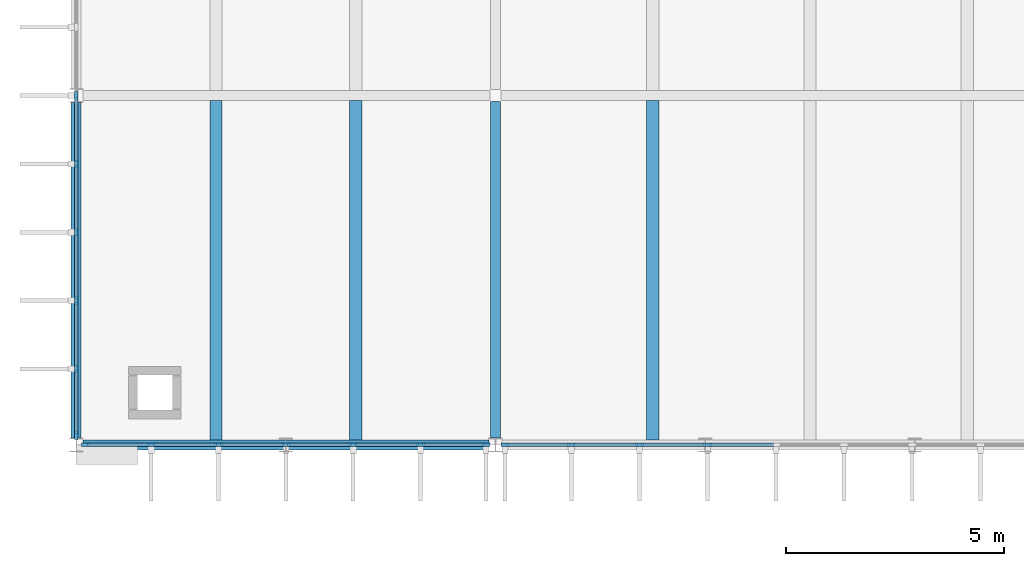
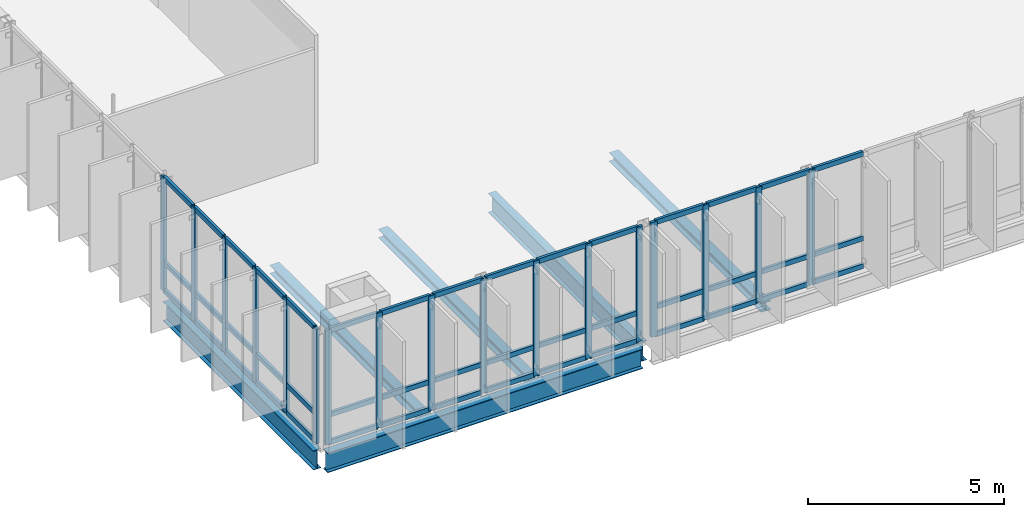
# One storey, part 6 of 22: 62 members, 6 beams, 3 elements without a shape of their own.
"""IFC4 building model written with IfcOpenShell, lengths in metres."""

from ifc_helpers import new_model, si_unit, direction, frame, origin, origin_2d, place, context, subcontext, project, spatial, rectangle, i_section, extrude, material, material_profile, profile_set, type_object, element, aggregate, save


model = new_model("IFC4")

# Units and contexts
model_context = context("Model", 3, precision=1e-05, world=origin(), true_north=direction((0.0, 1.0)))
body_context = subcontext(model_context, "Body", "Model", "MODEL_VIEW")
ifc_project = project(units=[si_unit("LENGTHUNIT", "METRE"), si_unit("AREAUNIT", "SQUARE_METRE"), si_unit("VOLUMEUNIT", "CUBIC_METRE"), si_unit("PLANEANGLEUNIT", "RADIAN"), si_unit("MASSUNIT", "GRAM", prefix="KILO")], contexts=[model_context])

# Site, building, storey
site_placement = place(None, origin())
site = spatial("IfcSite", under=ifc_project, at=site_placement, CompositionType="ELEMENT")
building_placement = place(site_placement, origin())
building = spatial("IfcBuilding", under=site, at=building_placement, Name="Dunescarp Central Library", CompositionType="ELEMENT")
storey_placement = place(building_placement, frame((0.0, 0.0, 27.60009765625)))
storey = spatial("IfcBuildingStorey", under=building, at=storey_placement, Name="L06", CompositionType="ELEMENT", Elevation=27.60009765625)

# Curtain wall, members
ifc_material_1 = material(Name="Marine-grade anodised aluminium 6063-T6", Category="aluminium")
curtain_wall_type = type_object("IfcCurtainWallType", Name="ARC-CW-STICK", PredefinedType="NOTDEFINED", material=ifc_material_1)
curtain_wall_1_placement = place(storey_placement, origin())
curtain_wall_1 = element("IfcCurtainWall", 1, at=curtain_wall_1_placement, inside=storey, type_object=curtain_wall_type, Name="L06 curtain wall CW-V1-038", PredefinedType="NOTDEFINED")
ifc_material_profile_1 = material_profile(ifc_material_1, rectangle(XDim=0.080078125, YDim=0.179931640625, at=origin_2d()), Name="AL 80x180")
ifc_profile_set_1 = profile_set([ifc_material_profile_1], Name="Marine-grade anodised aluminium 6063-T6")
member_type_1 = type_object("IfcMemberType", Name="ARC-CWM-180", PredefinedType="MULLION", material=ifc_profile_set_1)
member_1_placement = place(storey_placement, frame((9.385009765625, 4.800048828125, 0.0), z_axis=(0.0, 0.0, 1.0), x_axis=(0.0, -1.0, 0.0)))
member_1 = element("IfcMember", 2, at=member_1_placement, type_object=member_type_1, Name="CW-V1-038 mullion 1", PredefinedType="MULLION", context=body_context, shape_type="SweptSolid", body=[
    extrude(rectangle(XDim=0.080078125, YDim=0.179931640625, at=origin_2d()), origin(), (0.0, 0.0, 1.0), 3.574951171875),
])
member_2_placement = place(storey_placement, frame((7.88330078125, 4.800048828125, 0.0), z_axis=(0.0, 0.0, 1.0), x_axis=(0.0, -1.0, 0.0)))
member_2 = element("IfcMember", 3, at=member_2_placement, type_object=member_type_1, Name="CW-V1-038 mullion 2", PredefinedType="MULLION", context=body_context, shape_type="SweptSolid", body=[
    extrude(rectangle(XDim=0.080078125, YDim=0.179931640625, at=origin_2d()), origin(), (0.0, 0.0, 1.0), 3.574951171875),
])
member_3_placement = place(storey_placement, frame((6.341552734375, 4.800048828125, 0.0), z_axis=(0.0, 0.0, 1.0), x_axis=(0.0, -1.0, 0.0)))
member_3 = element("IfcMember", 4, at=member_3_placement, type_object=member_type_1, Name="CW-V1-038 mullion 3", PredefinedType="MULLION", context=body_context, shape_type="SweptSolid", body=[
    extrude(rectangle(XDim=0.080078125, YDim=0.179931640625, at=origin_2d()), origin(), (0.0, 0.0, 1.0), 3.574951171875),
])
member_4_placement = place(storey_placement, frame((4.800048828125, 4.800048828125, 0.0), z_axis=(0.0, 0.0, 1.0), x_axis=(0.0, -1.0, 0.0)))
member_4 = element("IfcMember", 5, at=member_4_placement, type_object=member_type_1, Name="CW-V1-038 mullion 4", PredefinedType="MULLION", context=body_context, shape_type="SweptSolid", body=[
    extrude(rectangle(XDim=0.080078125, YDim=0.179931640625, at=origin_2d()), origin(), (0.0, 0.0, 1.0), 3.574951171875),
])
member_5_placement = place(storey_placement, frame((3.25830078125, 4.800048828125, 0.0), z_axis=(0.0, 0.0, 1.0), x_axis=(0.0, -1.0, 0.0)))
member_5 = element("IfcMember", 6, at=member_5_placement, type_object=member_type_1, Name="CW-V1-038 mullion 5", PredefinedType="MULLION", context=body_context, shape_type="SweptSolid", body=[
    extrude(rectangle(XDim=0.080078125, YDim=0.179931640625, at=origin_2d()), origin(), (0.0, 0.0, 1.0), 3.574951171875),
])
member_6_placement = place(storey_placement, frame((1.716552734375, 4.800048828125, 0.0), z_axis=(0.0, 0.0, 1.0), x_axis=(0.0, -1.0, 0.0)))
member_6 = element("IfcMember", 7, at=member_6_placement, type_object=member_type_1, Name="CW-V1-038 mullion 6", PredefinedType="MULLION", context=body_context, shape_type="SweptSolid", body=[
    extrude(rectangle(XDim=0.080078125, YDim=0.179931640625, at=origin_2d()), origin(), (0.0, 0.0, 1.0), 3.574951171875),
])
member_7_placement = place(storey_placement, frame((0.215087890625, 4.800048828125, 0.0), z_axis=(0.0, 0.0, 1.0), x_axis=(0.0, -1.0, 0.0)))
member_7 = element("IfcMember", 8, at=member_7_placement, type_object=member_type_1, Name="CW-V1-038 mullion 7", PredefinedType="MULLION", context=body_context, shape_type="SweptSolid", body=[
    extrude(rectangle(XDim=0.080078125, YDim=0.179931640625, at=origin_2d()), origin(), (0.0, 0.0, 1.0), 3.574951171875),
])

curtain_wall_2_placement = place(storey_placement, origin())
curtain_wall_2 = element("IfcCurtainWall", 9, at=curtain_wall_2_placement, inside=storey, type_object=curtain_wall_type, Name="L06 curtain wall CW-V1-039", PredefinedType="NOTDEFINED")
member_8_placement = place(storey_placement, frame((14.458251953125, 4.800048828125, 0.0), z_axis=(0.0, 0.0, 1.0), x_axis=(0.0, -1.0, 0.0)))
member_8 = element("IfcMember", 10, at=member_8_placement, type_object=member_type_1, Name="CW-V1-039 mullion 7", PredefinedType="MULLION", context=body_context, shape_type="SweptSolid", body=[
    extrude(rectangle(XDim=0.080078125, YDim=0.179931640625, at=origin_2d()), origin(), (0.0, 0.0, 1.0), 3.574951171875),
])
member_9_placement = place(storey_placement, frame((12.897216796875, 4.800048828125, 0.0), z_axis=(0.0, 0.0, 1.0), x_axis=(0.0, -1.0, 0.0)))
member_9 = element("IfcMember", 11, at=member_9_placement, type_object=member_type_1, Name="CW-V1-039 mullion 8", PredefinedType="MULLION", context=body_context, shape_type="SweptSolid", body=[
    extrude(rectangle(XDim=0.080078125, YDim=0.179931640625, at=origin_2d()), origin(), (0.0, 0.0, 1.0), 3.574951171875),
])
member_10_placement = place(storey_placement, frame((11.336181640625, 4.800048828125, 0.0), z_axis=(0.0, 0.0, 1.0), x_axis=(0.0, -1.0, 0.0)))
member_10 = element("IfcMember", 12, at=member_10_placement, type_object=member_type_1, Name="CW-V1-039 mullion 9", PredefinedType="MULLION", context=body_context, shape_type="SweptSolid", body=[
    extrude(rectangle(XDim=0.080078125, YDim=0.179931640625, at=origin_2d()), origin(), (0.0, 0.0, 1.0), 3.574951171875),
])
member_11_placement = place(storey_placement, frame((9.81494140625, 4.800048828125, 0.0), z_axis=(0.0, 0.0, 1.0), x_axis=(0.0, -1.0, 0.0)))
member_11 = element("IfcMember", 13, at=member_11_placement, type_object=member_type_1, Name="CW-V1-039 mullion 10", PredefinedType="MULLION", context=body_context, shape_type="SweptSolid", body=[
    extrude(rectangle(XDim=0.080078125, YDim=0.179931640625, at=origin_2d()), origin(), (0.0, 0.0, 1.0), 3.574951171875),
])

curtain_wall_3_placement = place(storey_placement, origin())
curtain_wall_3 = element("IfcCurtainWall", 14, at=curtain_wall_3_placement, inside=storey, type_object=curtain_wall_type, Name="L06 curtain wall CW-V1-042", PredefinedType="NOTDEFINED")
member_12_placement = place(storey_placement, frame((0.0, 5.014892578125, 0.0), z_axis=(0.0, 0.0, 1.0), x_axis=(-1.0, 0.0, 0.0)))
member_12 = element("IfcMember", 15, at=member_12_placement, type_object=member_type_1, Name="CW-V1-042 mullion 1", PredefinedType="MULLION", context=body_context, shape_type="SweptSolid", body=[
    extrude(rectangle(XDim=0.080078125, YDim=0.179931640625, at=origin_2d()), origin(), (0.0, 0.0, 1.0), 3.574951171875),
])
member_13_placement = place(storey_placement, frame((0.0, 6.5400390625, 0.0), z_axis=(0.0, 0.0, 1.0), x_axis=(-1.0, 0.0, 0.0)))
member_13 = element("IfcMember", 16, at=member_13_placement, type_object=member_type_1, Name="CW-V1-042 mullion 2", PredefinedType="MULLION", context=body_context, shape_type="SweptSolid", body=[
    extrude(rectangle(XDim=0.080078125, YDim=0.179931640625, at=origin_2d()), origin(), (0.0, 0.0, 1.0), 3.574951171875),
])
member_14_placement = place(storey_placement, frame((0.0, 8.10498046875, 0.0), z_axis=(0.0, 0.0, 1.0), x_axis=(-1.0, 0.0, 0.0)))
member_14 = element("IfcMember", 17, at=member_14_placement, type_object=member_type_1, Name="CW-V1-042 mullion 3", PredefinedType="MULLION", context=body_context, shape_type="SweptSolid", body=[
    extrude(rectangle(XDim=0.080078125, YDim=0.179931640625, at=origin_2d()), origin(), (0.0, 0.0, 1.0), 3.574951171875),
])
member_15_placement = place(storey_placement, frame((0.0, 9.669921875, 0.0), z_axis=(0.0, 0.0, 1.0), x_axis=(-1.0, 0.0, 0.0)))
member_15 = element("IfcMember", 18, at=member_15_placement, type_object=member_type_1, Name="CW-V1-042 mullion 4", PredefinedType="MULLION", context=body_context, shape_type="SweptSolid", body=[
    extrude(rectangle(XDim=0.080078125, YDim=0.179931640625, at=origin_2d()), origin(), (0.0, 0.0, 1.0), 3.574951171875),
])
member_16_placement = place(storey_placement, frame((0.0, 11.235107421875, 0.0), z_axis=(0.0, 0.0, 1.0), x_axis=(-1.0, 0.0, 0.0)))
member_16 = element("IfcMember", 19, at=member_16_placement, type_object=member_type_1, Name="CW-V1-042 mullion 5", PredefinedType="MULLION", context=body_context, shape_type="SweptSolid", body=[
    extrude(rectangle(XDim=0.080078125, YDim=0.179931640625, at=origin_2d()), origin(), (0.0, 0.0, 1.0), 3.574951171875),
])
member_17_placement = place(storey_placement, frame((0.0, 12.800048828125, 0.0), z_axis=(0.0, 0.0, 1.0), x_axis=(-1.0, 0.0, 0.0)))
member_17 = element("IfcMember", 20, at=member_17_placement, type_object=member_type_1, Name="CW-V1-042 mullion 6", PredefinedType="MULLION", context=body_context, shape_type="SweptSolid", body=[
    extrude(rectangle(XDim=0.080078125, YDim=0.179931640625, at=origin_2d()), origin(), (0.0, 0.0, 1.0), 3.574951171875),
])

# Member
ifc_material_profile_2 = material_profile(ifc_material_1, rectangle(XDim=0.080078125, YDim=0.14990234375, at=origin_2d()), Name="AL 80x150")
ifc_profile_set_2 = profile_set([ifc_material_profile_2], Name="Marine-grade anodised aluminium 6063-T6")
member_type_2 = type_object("IfcMemberType", Name="ARC-CWT-150", PredefinedType="USERDEFINED", material=ifc_profile_set_2)
member_18_placement = place(storey_placement, frame((9.344970703125, 4.800048828125, 0.039794921875), z_axis=(-1.0, 0.0, 0.0), x_axis=(0.0, -1.0, 0.0)))
member_18 = element("IfcMember", 21, at=member_18_placement, type_object=member_type_2, Name="CW-V1-038 transom 1.1", ObjectType="TRANSOM", PredefinedType="USERDEFINED", context=body_context, shape_type="SweptSolid", body=[
    extrude(rectangle(XDim=0.080078125, YDim=0.14990234375, at=origin_2d()), origin(), (0.0, 0.0, 1.0), 1.421630859375),
])

member_19_placement = place(storey_placement, frame((9.344970703125, 4.800048828125, 0.89990234375), z_axis=(-1.0, 0.0, 0.0), x_axis=(0.0, -1.0, 0.0)))
member_19 = element("IfcMember", 22, at=member_19_placement, type_object=member_type_2, Name="CW-V1-038 transom 1.2", ObjectType="TRANSOM", PredefinedType="USERDEFINED", context=body_context, shape_type="SweptSolid", body=[
    extrude(rectangle(XDim=0.080078125, YDim=0.14990234375, at=origin_2d()), origin(), (0.0, 0.0, 1.0), 1.421630859375),
])

member_20_placement = place(storey_placement, frame((9.344970703125, 4.800048828125, 3.534912109375), z_axis=(-1.0, 0.0, 0.0), x_axis=(0.0, -1.0, 0.0)))
member_20 = element("IfcMember", 23, at=member_20_placement, type_object=member_type_2, Name="CW-V1-038 transom 1.3", ObjectType="TRANSOM", PredefinedType="USERDEFINED", context=body_context, shape_type="SweptSolid", body=[
    extrude(rectangle(XDim=0.080078125, YDim=0.14990234375, at=origin_2d()), origin(), (0.0, 0.0, 1.0), 1.421630859375),
])

member_21_placement = place(storey_placement, frame((7.84326171875, 4.800048828125, 0.039794921875), z_axis=(-1.0, 0.0, 0.0), x_axis=(0.0, -1.0, 0.0)))
member_21 = element("IfcMember", 24, at=member_21_placement, type_object=member_type_2, Name="CW-V1-038 transom 2.1", ObjectType="TRANSOM", PredefinedType="USERDEFINED", context=body_context, shape_type="SweptSolid", body=[
    extrude(rectangle(XDim=0.080078125, YDim=0.14990234375, at=origin_2d()), origin(), (0.0, 0.0, 1.0), 1.461669921875),
])

member_22_placement = place(storey_placement, frame((7.84326171875, 4.800048828125, 0.89990234375), z_axis=(-1.0, 0.0, 0.0), x_axis=(0.0, -1.0, 0.0)))
member_22 = element("IfcMember", 25, at=member_22_placement, type_object=member_type_2, Name="CW-V1-038 transom 2.2", ObjectType="TRANSOM", PredefinedType="USERDEFINED", context=body_context, shape_type="SweptSolid", body=[
    extrude(rectangle(XDim=0.080078125, YDim=0.14990234375, at=origin_2d()), origin(), (0.0, 0.0, 1.0), 1.461669921875),
])

member_23_placement = place(storey_placement, frame((7.84326171875, 4.800048828125, 3.534912109375), z_axis=(-1.0, 0.0, 0.0), x_axis=(0.0, -1.0, 0.0)))
member_23 = element("IfcMember", 26, at=member_23_placement, type_object=member_type_2, Name="CW-V1-038 transom 2.3", ObjectType="TRANSOM", PredefinedType="USERDEFINED", context=body_context, shape_type="SweptSolid", body=[
    extrude(rectangle(XDim=0.080078125, YDim=0.14990234375, at=origin_2d()), origin(), (0.0, 0.0, 1.0), 1.461669921875),
])

member_24_placement = place(storey_placement, frame((6.3017578125, 4.800048828125, 0.039794921875), z_axis=(-1.0, 0.0, 0.0), x_axis=(0.0, -1.0, 0.0)))
member_24 = element("IfcMember", 27, at=member_24_placement, type_object=member_type_2, Name="CW-V1-038 transom 3.1", ObjectType="TRANSOM", PredefinedType="USERDEFINED", context=body_context, shape_type="SweptSolid", body=[
    extrude(rectangle(XDim=0.080078125, YDim=0.14990234375, at=origin_2d()), origin(), (0.0, 0.0, 1.0), 1.461669921875),
])

member_25_placement = place(storey_placement, frame((6.3017578125, 4.800048828125, 0.89990234375), z_axis=(-1.0, 0.0, 0.0), x_axis=(0.0, -1.0, 0.0)))
member_25 = element("IfcMember", 28, at=member_25_placement, type_object=member_type_2, Name="CW-V1-038 transom 3.2", ObjectType="TRANSOM", PredefinedType="USERDEFINED", context=body_context, shape_type="SweptSolid", body=[
    extrude(rectangle(XDim=0.080078125, YDim=0.14990234375, at=origin_2d()), origin(), (0.0, 0.0, 1.0), 1.461669921875),
])

member_26_placement = place(storey_placement, frame((6.3017578125, 4.800048828125, 3.534912109375), z_axis=(-1.0, 0.0, 0.0), x_axis=(0.0, -1.0, 0.0)))
member_26 = element("IfcMember", 29, at=member_26_placement, type_object=member_type_2, Name="CW-V1-038 transom 3.3", ObjectType="TRANSOM", PredefinedType="USERDEFINED", context=body_context, shape_type="SweptSolid", body=[
    extrude(rectangle(XDim=0.080078125, YDim=0.14990234375, at=origin_2d()), origin(), (0.0, 0.0, 1.0), 1.461669921875),
])

member_27_placement = place(storey_placement, frame((4.760009765625, 4.800048828125, 0.039794921875), z_axis=(-1.0, 0.0, 0.0), x_axis=(0.0, -1.0, 0.0)))
member_27 = element("IfcMember", 30, at=member_27_placement, type_object=member_type_2, Name="CW-V1-038 transom 4.1", ObjectType="TRANSOM", PredefinedType="USERDEFINED", context=body_context, shape_type="SweptSolid", body=[
    extrude(rectangle(XDim=0.080078125, YDim=0.14990234375, at=origin_2d()), origin(), (0.0, 0.0, 1.0), 1.461669921875),
])

member_28_placement = place(storey_placement, frame((4.760009765625, 4.800048828125, 0.89990234375), z_axis=(-1.0, 0.0, 0.0), x_axis=(0.0, -1.0, 0.0)))
member_28 = element("IfcMember", 31, at=member_28_placement, type_object=member_type_2, Name="CW-V1-038 transom 4.2", ObjectType="TRANSOM", PredefinedType="USERDEFINED", context=body_context, shape_type="SweptSolid", body=[
    extrude(rectangle(XDim=0.080078125, YDim=0.14990234375, at=origin_2d()), origin(), (0.0, 0.0, 1.0), 1.461669921875),
])

member_29_placement = place(storey_placement, frame((4.760009765625, 4.800048828125, 3.534912109375), z_axis=(-1.0, 0.0, 0.0), x_axis=(0.0, -1.0, 0.0)))
member_29 = element("IfcMember", 32, at=member_29_placement, type_object=member_type_2, Name="CW-V1-038 transom 4.3", ObjectType="TRANSOM", PredefinedType="USERDEFINED", context=body_context, shape_type="SweptSolid", body=[
    extrude(rectangle(XDim=0.080078125, YDim=0.14990234375, at=origin_2d()), origin(), (0.0, 0.0, 1.0), 1.461669921875),
])

member_30_placement = place(storey_placement, frame((3.21826171875, 4.800048828125, 0.039794921875), z_axis=(-1.0, 0.0, 0.0), x_axis=(0.0, -1.0, 0.0)))
member_30 = element("IfcMember", 33, at=member_30_placement, type_object=member_type_2, Name="CW-V1-038 transom 5.1", ObjectType="TRANSOM", PredefinedType="USERDEFINED", context=body_context, shape_type="SweptSolid", body=[
    extrude(rectangle(XDim=0.080078125, YDim=0.14990234375, at=origin_2d()), origin(), (0.0, 0.0, 1.0), 1.461669921875),
])

member_31_placement = place(storey_placement, frame((3.21826171875, 4.800048828125, 0.89990234375), z_axis=(-1.0, 0.0, 0.0), x_axis=(0.0, -1.0, 0.0)))
member_31 = element("IfcMember", 34, at=member_31_placement, type_object=member_type_2, Name="CW-V1-038 transom 5.2", ObjectType="TRANSOM", PredefinedType="USERDEFINED", context=body_context, shape_type="SweptSolid", body=[
    extrude(rectangle(XDim=0.080078125, YDim=0.14990234375, at=origin_2d()), origin(), (0.0, 0.0, 1.0), 1.461669921875),
])

member_32_placement = place(storey_placement, frame((3.21826171875, 4.800048828125, 3.534912109375), z_axis=(-1.0, 0.0, 0.0), x_axis=(0.0, -1.0, 0.0)))
member_32 = element("IfcMember", 35, at=member_32_placement, type_object=member_type_2, Name="CW-V1-038 transom 5.3", ObjectType="TRANSOM", PredefinedType="USERDEFINED", context=body_context, shape_type="SweptSolid", body=[
    extrude(rectangle(XDim=0.080078125, YDim=0.14990234375, at=origin_2d()), origin(), (0.0, 0.0, 1.0), 1.461669921875),
])

member_33_placement = place(storey_placement, frame((1.6767578125, 4.800048828125, 0.039794921875), z_axis=(-1.0, 0.0, 0.0), x_axis=(0.0, -1.0, 0.0)))
member_33 = element("IfcMember", 36, at=member_33_placement, type_object=member_type_2, Name="CW-V1-038 transom 6.1", ObjectType="TRANSOM", PredefinedType="USERDEFINED", context=body_context, shape_type="SweptSolid", body=[
    extrude(rectangle(XDim=0.080078125, YDim=0.14990234375, at=origin_2d()), origin(), (0.0, 0.0, 1.0), 1.421875),
])

member_34_placement = place(storey_placement, frame((1.6767578125, 4.800048828125, 0.89990234375), z_axis=(-1.0, 0.0, 0.0), x_axis=(0.0, -1.0, 0.0)))
member_34 = element("IfcMember", 37, at=member_34_placement, type_object=member_type_2, Name="CW-V1-038 transom 6.2", ObjectType="TRANSOM", PredefinedType="USERDEFINED", context=body_context, shape_type="SweptSolid", body=[
    extrude(rectangle(XDim=0.080078125, YDim=0.14990234375, at=origin_2d()), origin(), (0.0, 0.0, 1.0), 1.421875),
])

member_35_placement = place(storey_placement, frame((1.6767578125, 4.800048828125, 3.534912109375), z_axis=(-1.0, 0.0, 0.0), x_axis=(0.0, -1.0, 0.0)))
member_35 = element("IfcMember", 38, at=member_35_placement, type_object=member_type_2, Name="CW-V1-038 transom 6.3", ObjectType="TRANSOM", PredefinedType="USERDEFINED", context=body_context, shape_type="SweptSolid", body=[
    extrude(rectangle(XDim=0.080078125, YDim=0.14990234375, at=origin_2d()), origin(), (0.0, 0.0, 1.0), 1.421875),
])

aggregate(curtain_wall_1, [member_1, member_2, member_3, member_4, member_5, member_6, member_7, member_18, member_19, member_20, member_21, member_22, member_23, member_24, member_25, member_26, member_27, member_28, member_29, member_30, member_31, member_32, member_33, member_34, member_35])

member_36_placement = place(storey_placement, frame((15.9794921875, 4.800048828125, 0.039794921875), z_axis=(-1.0, 0.0, 0.0), x_axis=(0.0, -1.0, 0.0)))
member_36 = element("IfcMember", 39, at=member_36_placement, type_object=member_type_2, Name="CW-V1-039 transom 6.1", ObjectType="TRANSOM", PredefinedType="USERDEFINED", context=body_context, shape_type="SweptSolid", body=[
    extrude(rectangle(XDim=0.080078125, YDim=0.14990234375, at=origin_2d()), origin(), (0.0, 0.0, 1.0), 1.481201171875),
])

member_37_placement = place(storey_placement, frame((15.9794921875, 4.800048828125, 0.89990234375), z_axis=(-1.0, 0.0, 0.0), x_axis=(0.0, -1.0, 0.0)))
member_37 = element("IfcMember", 40, at=member_37_placement, type_object=member_type_2, Name="CW-V1-039 transom 6.2", ObjectType="TRANSOM", PredefinedType="USERDEFINED", context=body_context, shape_type="SweptSolid", body=[
    extrude(rectangle(XDim=0.080078125, YDim=0.14990234375, at=origin_2d()), origin(), (0.0, 0.0, 1.0), 1.481201171875),
])

member_38_placement = place(storey_placement, frame((15.9794921875, 4.800048828125, 3.534912109375), z_axis=(-1.0, 0.0, 0.0), x_axis=(0.0, -1.0, 0.0)))
member_38 = element("IfcMember", 41, at=member_38_placement, type_object=member_type_2, Name="CW-V1-039 transom 6.3", ObjectType="TRANSOM", PredefinedType="USERDEFINED", context=body_context, shape_type="SweptSolid", body=[
    extrude(rectangle(XDim=0.080078125, YDim=0.14990234375, at=origin_2d()), origin(), (0.0, 0.0, 1.0), 1.481201171875),
])

member_39_placement = place(storey_placement, frame((14.418212890625, 4.800048828125, 0.039794921875), z_axis=(-1.0, 0.0, 0.0), x_axis=(0.0, -1.0, 0.0)))
member_39 = element("IfcMember", 42, at=member_39_placement, type_object=member_type_2, Name="CW-V1-039 transom 7.1", ObjectType="TRANSOM", PredefinedType="USERDEFINED", context=body_context, shape_type="SweptSolid", body=[
    extrude(rectangle(XDim=0.080078125, YDim=0.14990234375, at=origin_2d()), origin(), (0.0, 0.0, 1.0), 1.48095703125),
])

member_40_placement = place(storey_placement, frame((14.418212890625, 4.800048828125, 0.89990234375), z_axis=(-1.0, 0.0, 0.0), x_axis=(0.0, -1.0, 0.0)))
member_40 = element("IfcMember", 43, at=member_40_placement, type_object=member_type_2, Name="CW-V1-039 transom 7.2", ObjectType="TRANSOM", PredefinedType="USERDEFINED", context=body_context, shape_type="SweptSolid", body=[
    extrude(rectangle(XDim=0.080078125, YDim=0.14990234375, at=origin_2d()), origin(), (0.0, 0.0, 1.0), 1.48095703125),
])

member_41_placement = place(storey_placement, frame((14.418212890625, 4.800048828125, 3.534912109375), z_axis=(-1.0, 0.0, 0.0), x_axis=(0.0, -1.0, 0.0)))
member_41 = element("IfcMember", 44, at=member_41_placement, type_object=member_type_2, Name="CW-V1-039 transom 7.3", ObjectType="TRANSOM", PredefinedType="USERDEFINED", context=body_context, shape_type="SweptSolid", body=[
    extrude(rectangle(XDim=0.080078125, YDim=0.14990234375, at=origin_2d()), origin(), (0.0, 0.0, 1.0), 1.48095703125),
])

member_42_placement = place(storey_placement, frame((12.857177734375, 4.800048828125, 0.039794921875), z_axis=(-1.0, 0.0, 0.0), x_axis=(0.0, -1.0, 0.0)))
member_42 = element("IfcMember", 45, at=member_42_placement, type_object=member_type_2, Name="CW-V1-039 transom 8.1", ObjectType="TRANSOM", PredefinedType="USERDEFINED", context=body_context, shape_type="SweptSolid", body=[
    extrude(rectangle(XDim=0.080078125, YDim=0.14990234375, at=origin_2d()), origin(), (0.0, 0.0, 1.0), 1.48095703125),
])

member_43_placement = place(storey_placement, frame((12.857177734375, 4.800048828125, 0.89990234375), z_axis=(-1.0, 0.0, 0.0), x_axis=(0.0, -1.0, 0.0)))
member_43 = element("IfcMember", 46, at=member_43_placement, type_object=member_type_2, Name="CW-V1-039 transom 8.2", ObjectType="TRANSOM", PredefinedType="USERDEFINED", context=body_context, shape_type="SweptSolid", body=[
    extrude(rectangle(XDim=0.080078125, YDim=0.14990234375, at=origin_2d()), origin(), (0.0, 0.0, 1.0), 1.48095703125),
])

member_44_placement = place(storey_placement, frame((12.857177734375, 4.800048828125, 3.534912109375), z_axis=(-1.0, 0.0, 0.0), x_axis=(0.0, -1.0, 0.0)))
member_44 = element("IfcMember", 47, at=member_44_placement, type_object=member_type_2, Name="CW-V1-039 transom 8.3", ObjectType="TRANSOM", PredefinedType="USERDEFINED", context=body_context, shape_type="SweptSolid", body=[
    extrude(rectangle(XDim=0.080078125, YDim=0.14990234375, at=origin_2d()), origin(), (0.0, 0.0, 1.0), 1.48095703125),
])

member_45_placement = place(storey_placement, frame((11.296142578125, 4.800048828125, 0.039794921875), z_axis=(-1.0, 0.0, 0.0), x_axis=(0.0, -1.0, 0.0)))
member_45 = element("IfcMember", 48, at=member_45_placement, type_object=member_type_2, Name="CW-V1-039 transom 9.1", ObjectType="TRANSOM", PredefinedType="USERDEFINED", context=body_context, shape_type="SweptSolid", body=[
    extrude(rectangle(XDim=0.080078125, YDim=0.14990234375, at=origin_2d()), origin(), (0.0, 0.0, 1.0), 1.441162109375),
])

member_46_placement = place(storey_placement, frame((11.296142578125, 4.800048828125, 0.89990234375), z_axis=(-1.0, 0.0, 0.0), x_axis=(0.0, -1.0, 0.0)))
member_46 = element("IfcMember", 49, at=member_46_placement, type_object=member_type_2, Name="CW-V1-039 transom 9.2", ObjectType="TRANSOM", PredefinedType="USERDEFINED", context=body_context, shape_type="SweptSolid", body=[
    extrude(rectangle(XDim=0.080078125, YDim=0.14990234375, at=origin_2d()), origin(), (0.0, 0.0, 1.0), 1.441162109375),
])

member_47_placement = place(storey_placement, frame((11.296142578125, 4.800048828125, 3.534912109375), z_axis=(-1.0, 0.0, 0.0), x_axis=(0.0, -1.0, 0.0)))
member_47 = element("IfcMember", 50, at=member_47_placement, type_object=member_type_2, Name="CW-V1-039 transom 9.3", ObjectType="TRANSOM", PredefinedType="USERDEFINED", context=body_context, shape_type="SweptSolid", body=[
    extrude(rectangle(XDim=0.080078125, YDim=0.14990234375, at=origin_2d()), origin(), (0.0, 0.0, 1.0), 1.441162109375),
])

aggregate(curtain_wall_2, [member_8, member_9, member_10, member_11, member_36, member_37, member_38, member_39, member_40, member_41, member_42, member_43, member_44, member_45, member_46, member_47])

member_48_placement = place(storey_placement, frame((0.0, 5.054931640625, 0.039794921875), z_axis=(0.0, 1.0, 0.0), x_axis=(-1.0, 0.0, 0.0)))
member_48 = element("IfcMember", 51, at=member_48_placement, type_object=member_type_2, Name="CW-V1-042 transom 1.1", ObjectType="TRANSOM", PredefinedType="USERDEFINED", context=body_context, shape_type="SweptSolid", body=[
    extrude(rectangle(XDim=0.080078125, YDim=0.14990234375, at=origin_2d()), origin(), (0.0, 0.0, 1.0), 1.445068359375),
])

member_49_placement = place(storey_placement, frame((0.0, 5.054931640625, 0.89990234375), z_axis=(0.0, 1.0, 0.0), x_axis=(-1.0, 0.0, 0.0)))
member_49 = element("IfcMember", 52, at=member_49_placement, type_object=member_type_2, Name="CW-V1-042 transom 1.2", ObjectType="TRANSOM", PredefinedType="USERDEFINED", context=body_context, shape_type="SweptSolid", body=[
    extrude(rectangle(XDim=0.080078125, YDim=0.14990234375, at=origin_2d()), origin(), (0.0, 0.0, 1.0), 1.445068359375),
])

member_50_placement = place(storey_placement, frame((0.0, 5.054931640625, 3.534912109375), z_axis=(0.0, 1.0, 0.0), x_axis=(-1.0, 0.0, 0.0)))
member_50 = element("IfcMember", 53, at=member_50_placement, type_object=member_type_2, Name="CW-V1-042 transom 1.3", ObjectType="TRANSOM", PredefinedType="USERDEFINED", context=body_context, shape_type="SweptSolid", body=[
    extrude(rectangle(XDim=0.080078125, YDim=0.14990234375, at=origin_2d()), origin(), (0.0, 0.0, 1.0), 1.445068359375),
])

member_51_placement = place(storey_placement, frame((0.0, 6.580078125, 0.039794921875), z_axis=(0.0, 1.0, 0.0), x_axis=(-1.0, 0.0, 0.0)))
member_51 = element("IfcMember", 54, at=member_51_placement, type_object=member_type_2, Name="CW-V1-042 transom 2.1", ObjectType="TRANSOM", PredefinedType="USERDEFINED", context=body_context, shape_type="SweptSolid", body=[
    extrude(rectangle(XDim=0.080078125, YDim=0.14990234375, at=origin_2d()), origin(), (0.0, 0.0, 1.0), 1.48486328125),
])

member_52_placement = place(storey_placement, frame((0.0, 6.580078125, 0.89990234375), z_axis=(0.0, 1.0, 0.0), x_axis=(-1.0, 0.0, 0.0)))
member_52 = element("IfcMember", 55, at=member_52_placement, type_object=member_type_2, Name="CW-V1-042 transom 2.2", ObjectType="TRANSOM", PredefinedType="USERDEFINED", context=body_context, shape_type="SweptSolid", body=[
    extrude(rectangle(XDim=0.080078125, YDim=0.14990234375, at=origin_2d()), origin(), (0.0, 0.0, 1.0), 1.48486328125),
])

member_53_placement = place(storey_placement, frame((0.0, 6.580078125, 3.534912109375), z_axis=(0.0, 1.0, 0.0), x_axis=(-1.0, 0.0, 0.0)))
member_53 = element("IfcMember", 56, at=member_53_placement, type_object=member_type_2, Name="CW-V1-042 transom 2.3", ObjectType="TRANSOM", PredefinedType="USERDEFINED", context=body_context, shape_type="SweptSolid", body=[
    extrude(rectangle(XDim=0.080078125, YDim=0.14990234375, at=origin_2d()), origin(), (0.0, 0.0, 1.0), 1.48486328125),
])

member_54_placement = place(storey_placement, frame((0.0, 8.14501953125, 0.039794921875), z_axis=(0.0, 1.0, 0.0), x_axis=(-1.0, 0.0, 0.0)))
member_54 = element("IfcMember", 57, at=member_54_placement, type_object=member_type_2, Name="CW-V1-042 transom 3.1", ObjectType="TRANSOM", PredefinedType="USERDEFINED", context=body_context, shape_type="SweptSolid", body=[
    extrude(rectangle(XDim=0.080078125, YDim=0.14990234375, at=origin_2d()), origin(), (0.0, 0.0, 1.0), 1.48486328125),
])

member_55_placement = place(storey_placement, frame((0.0, 8.14501953125, 0.89990234375), z_axis=(0.0, 1.0, 0.0), x_axis=(-1.0, 0.0, 0.0)))
member_55 = element("IfcMember", 58, at=member_55_placement, type_object=member_type_2, Name="CW-V1-042 transom 3.2", ObjectType="TRANSOM", PredefinedType="USERDEFINED", context=body_context, shape_type="SweptSolid", body=[
    extrude(rectangle(XDim=0.080078125, YDim=0.14990234375, at=origin_2d()), origin(), (0.0, 0.0, 1.0), 1.48486328125),
])

member_56_placement = place(storey_placement, frame((0.0, 8.14501953125, 3.534912109375), z_axis=(0.0, 1.0, 0.0), x_axis=(-1.0, 0.0, 0.0)))
member_56 = element("IfcMember", 59, at=member_56_placement, type_object=member_type_2, Name="CW-V1-042 transom 3.3", ObjectType="TRANSOM", PredefinedType="USERDEFINED", context=body_context, shape_type="SweptSolid", body=[
    extrude(rectangle(XDim=0.080078125, YDim=0.14990234375, at=origin_2d()), origin(), (0.0, 0.0, 1.0), 1.48486328125),
])

member_57_placement = place(storey_placement, frame((0.0, 9.7099609375, 0.039794921875), z_axis=(0.0, 1.0, 0.0), x_axis=(-1.0, 0.0, 0.0)))
member_57 = element("IfcMember", 60, at=member_57_placement, type_object=member_type_2, Name="CW-V1-042 transom 4.1", ObjectType="TRANSOM", PredefinedType="USERDEFINED", context=body_context, shape_type="SweptSolid", body=[
    extrude(rectangle(XDim=0.080078125, YDim=0.14990234375, at=origin_2d()), origin(), (0.0, 0.0, 1.0), 1.485107421875),
])

member_58_placement = place(storey_placement, frame((0.0, 9.7099609375, 0.89990234375), z_axis=(0.0, 1.0, 0.0), x_axis=(-1.0, 0.0, 0.0)))
member_58 = element("IfcMember", 61, at=member_58_placement, type_object=member_type_2, Name="CW-V1-042 transom 4.2", ObjectType="TRANSOM", PredefinedType="USERDEFINED", context=body_context, shape_type="SweptSolid", body=[
    extrude(rectangle(XDim=0.080078125, YDim=0.14990234375, at=origin_2d()), origin(), (0.0, 0.0, 1.0), 1.485107421875),
])

member_59_placement = place(storey_placement, frame((0.0, 9.7099609375, 3.534912109375), z_axis=(0.0, 1.0, 0.0), x_axis=(-1.0, 0.0, 0.0)))
member_59 = element("IfcMember", 62, at=member_59_placement, type_object=member_type_2, Name="CW-V1-042 transom 4.3", ObjectType="TRANSOM", PredefinedType="USERDEFINED", context=body_context, shape_type="SweptSolid", body=[
    extrude(rectangle(XDim=0.080078125, YDim=0.14990234375, at=origin_2d()), origin(), (0.0, 0.0, 1.0), 1.485107421875),
])

member_60_placement = place(storey_placement, frame((0.0, 11.27490234375, 0.039794921875), z_axis=(0.0, 1.0, 0.0), x_axis=(-1.0, 0.0, 0.0)))
member_60 = element("IfcMember", 63, at=member_60_placement, type_object=member_type_2, Name="CW-V1-042 transom 5.1", ObjectType="TRANSOM", PredefinedType="USERDEFINED", context=body_context, shape_type="SweptSolid", body=[
    extrude(rectangle(XDim=0.080078125, YDim=0.14990234375, at=origin_2d()), origin(), (0.0, 0.0, 1.0), 1.485107421875),
])

member_61_placement = place(storey_placement, frame((0.0, 11.27490234375, 0.89990234375), z_axis=(0.0, 1.0, 0.0), x_axis=(-1.0, 0.0, 0.0)))
member_61 = element("IfcMember", 64, at=member_61_placement, type_object=member_type_2, Name="CW-V1-042 transom 5.2", ObjectType="TRANSOM", PredefinedType="USERDEFINED", context=body_context, shape_type="SweptSolid", body=[
    extrude(rectangle(XDim=0.080078125, YDim=0.14990234375, at=origin_2d()), origin(), (0.0, 0.0, 1.0), 1.485107421875),
])

member_62_placement = place(storey_placement, frame((0.0, 11.27490234375, 3.534912109375), z_axis=(0.0, 1.0, 0.0), x_axis=(-1.0, 0.0, 0.0)))
member_62 = element("IfcMember", 65, at=member_62_placement, type_object=member_type_2, Name="CW-V1-042 transom 5.3", ObjectType="TRANSOM", PredefinedType="USERDEFINED", context=body_context, shape_type="SweptSolid", body=[
    extrude(rectangle(XDim=0.080078125, YDim=0.14990234375, at=origin_2d()), origin(), (0.0, 0.0, 1.0), 1.485107421875),
])

aggregate(curtain_wall_3, [member_12, member_13, member_14, member_15, member_16, member_17, member_48, member_49, member_50, member_51, member_52, member_53, member_54, member_55, member_56, member_57, member_58, member_59, member_60, member_61, member_62])

# Beams
ifc_material_2 = material(Name="Steel S355JR", Category="steel")
ifc_material_profile_3 = material_profile(ifc_material_2, i_section(OverallWidth=0.22900390625, OverallDepth=0.6123046875, WebThickness=0.011962890625, FlangeThickness=0.01953125, at=origin_2d()), Name="UB 610x229x125")
ifc_profile_set_3 = profile_set([ifc_material_profile_3], Name="Steel S355JR")
beam_type_1 = type_object("IfcBeamType", Name="STR-BM-UB610", PredefinedType="BEAM", material=ifc_profile_set_3)
beam_1_placement = place(storey_placement, frame((0.153076171875, 4.800048828125, -0.51611328125), z_axis=(1.0, 0.0, 0.0), x_axis=(0.0, 1.0, 0.0)))
element("IfcBeam", 66, at=beam_1_placement, inside=storey, type_object=beam_type_1, Name="L06 girder BM-L06-0276", PredefinedType="BEAM", context=body_context, shape_type="SweptSolid", body=[
    extrude(i_section(OverallWidth=0.22900390625, OverallDepth=0.6123046875, WebThickness=0.011962890625, FlangeThickness=0.01953125, at=origin_2d()), origin(), (0.0, 0.0, 1.0), 9.2939453125),
])
ifc_material_profile_4 = material_profile(ifc_material_2, i_section(OverallWidth=0.2275390625, OverallDepth=0.6025390625, WebThickness=0.010498046875, FlangeThickness=0.014892578125, at=origin_2d()), Name="UB 610x229x101")
ifc_profile_set_4 = profile_set([ifc_material_profile_4], Name="Steel S355JR")
beam_type_2 = type_object("IfcBeamType", Name="STR-BM-UB610X101", PredefinedType="BEAM", material=ifc_profile_set_4)
beam_2_placement = place(storey_placement, frame((0.0, 4.9609375, -0.510986328125), z_axis=(0.0, 1.0, 0.0), x_axis=(-1.0, 0.0, 0.0)))
element("IfcBeam", 67, at=beam_2_placement, inside=storey, type_object=beam_type_2, Name="L06 girder BM-L06-0278", PredefinedType="BEAM", context=body_context, shape_type="SweptSolid", body=[
    extrude(i_section(OverallWidth=0.2275390625, OverallDepth=0.6025390625, WebThickness=0.010498046875, FlangeThickness=0.014892578125, at=origin_2d()), origin(), (0.0, 0.0, 1.0), 7.677978515625),
])
beam_3_placement = place(storey_placement, frame((9.60009765625, 4.9609375, -0.510986328125), z_axis=(0.0, 1.0, 0.0), x_axis=(-1.0, 0.0, 0.0)))
element("IfcBeam", 68, at=beam_3_placement, inside=storey, type_object=beam_type_2, Name="L06 girder BM-L06-0279", PredefinedType="BEAM", context=body_context, shape_type="SweptSolid", body=[
    extrude(i_section(OverallWidth=0.2275390625, OverallDepth=0.6025390625, WebThickness=0.010498046875, FlangeThickness=0.014892578125, at=origin_2d()), origin(), (0.0, 0.0, 1.0), 7.7041015625),
])
ifc_material_profile_5 = material_profile(ifc_material_2, i_section(OverallWidth=0.280029296875, OverallDepth=0.27001953125, WebThickness=0.008056640625, FlangeThickness=0.012939453125, at=origin_2d()), Name="HEA 280")
ifc_profile_set_5 = profile_set([ifc_material_profile_5], Name="Steel S355JR")
beam_type_3 = type_object("IfcBeamType", Name="STR-JS-HEA280", PredefinedType="JOIST", material=ifc_profile_set_5)
for number, where, z_axis, x_axis, name in (
    (69, (3.199951171875, 4.9130859375, -0.34521484375), (0.0, 1.0, 0.0), (-1.0, 0.0, 0.0), "L06 joist JS-L06-0280"),
    (70, (6.39990234375, 4.9130859375, -0.34521484375), (0.0, 1.0, 0.0), (-1.0, 0.0, 0.0), "L06 joist JS-L06-0281"),
    (71, (13.199951171875, 4.9130859375, -0.34521484375), (0.0, 1.0, 0.0), (-1.0, 0.0, 0.0), "L06 joist JS-L06-0298"),
):
    element("IfcBeam", number, at=place(storey_placement, frame(where, z_axis=z_axis, x_axis=x_axis)), inside=storey, type_object=beam_type_3, Name=name, PredefinedType="JOIST", context=body_context, shape_type="SweptSolid", body=[
        extrude(i_section(OverallWidth=0.280029296875, OverallDepth=0.27001953125, WebThickness=0.008056640625, FlangeThickness=0.012939453125, at=origin_2d()), origin(), (0.0, 0.0, 1.0), 7.77392578125),
    ])

save(model, "model.ifc")
